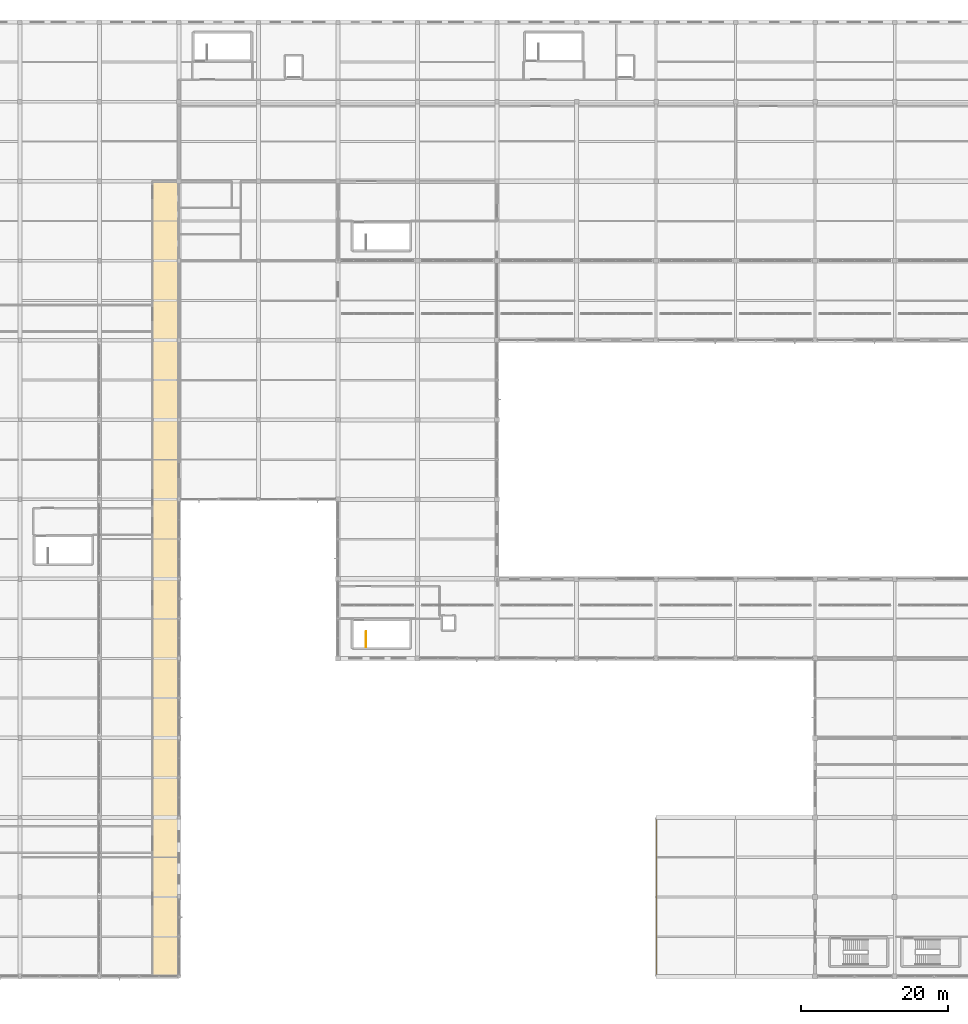
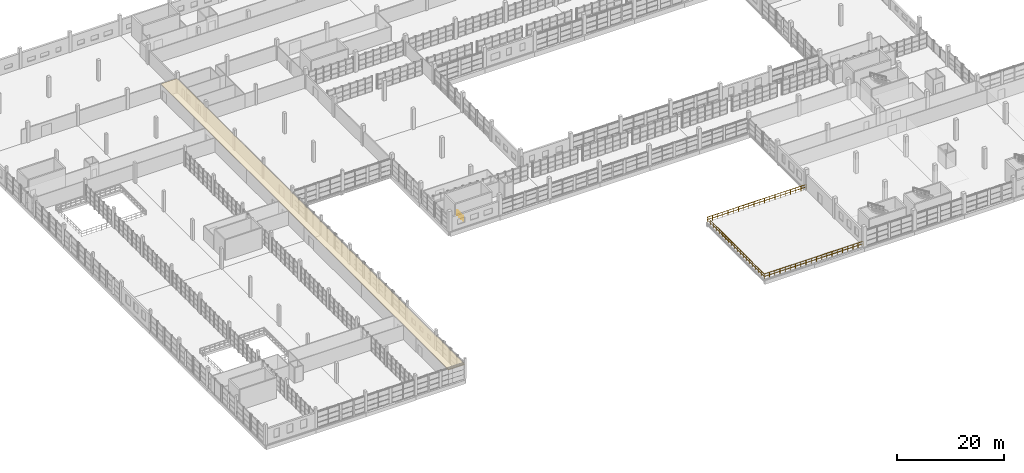
# One storey, part 130 of 142: 2 railings, 1 covering.
"""IFC4 building model written with IfcOpenShell, lengths in metres."""

from ifc_helpers import new_model, si_unit, direction, frame, origin, origin_2d, place, context, subcontext, project, spatial, polyline, circle, outline, extrude, material, layer, layer_set, type_object, element, save


model = new_model("IFC4")

# Units and contexts
model_context = context("Model", 3, precision=1e-05, world=origin(), true_north=direction((0.0, 1.0)))
body_context = subcontext(model_context, "Body", "Model", "MODEL_VIEW")
ifc_project = project(units=[si_unit("LENGTHUNIT", "METRE"), si_unit("AREAUNIT", "SQUARE_METRE"), si_unit("VOLUMEUNIT", "CUBIC_METRE"), si_unit("PLANEANGLEUNIT", "RADIAN"), si_unit("MASSUNIT", "GRAM", prefix="KILO")], contexts=[model_context])

# Site, building, storey
site_placement = place(None, origin())
site = spatial("IfcSite", under=ifc_project, at=site_placement, CompositionType="ELEMENT")
building_placement = place(site_placement, origin())
building = spatial("IfcBuilding", under=site, at=building_placement, Name="Zwinboog Wholesale Market", CompositionType="ELEMENT")
storey_placement = place(building_placement, frame((0.0, 0.0, 5.39990234375)))
storey = spatial("IfcBuildingStorey", under=building, at=storey_placement, Name="L01", CompositionType="ELEMENT", Elevation=5.39990234375)

# Railings
ifc_material_1 = material(Name="Steel S355", Category="steel")
railing_type_1 = type_object("IfcRailingType", Name="RLT-EXT-GUARD", PredefinedType="BALUSTRADE", material=ifc_material_1)
railing_1_placement = place(storey_placement, frame((129.52001953125, 0.080078125, 0.0)))
element("IfcRailing", 1, at=railing_1_placement, inside=storey, type_object=railing_type_1, Name="GR-01 (RLG-EXT-08)", PredefinedType="BALUSTRADE", context=body_context, shape_type="SweptSolid", body=[
    extrude(circle(Radius=0.02392578125, at=origin_2d()), frame((0.0, 0.0, 1.09619140625), z_axis=(-1.0, 0.0, 0.0), x_axis=(0.0, -1.0, 0.0)), (0.0, 0.0, 1.0), 21.43994140625),
    extrude(circle(Radius=0.02392578125, at=origin_2d()), frame((0.0, 0.0, 0.5361328125), z_axis=(-1.0, 0.0, 0.0), x_axis=(0.0, -1.0, 0.0)), (0.0, 0.0, 1.0), 21.43994140625),
    extrude(circle(Radius=0.02392578125, at=origin_2d()), frame((-21.43994140625, 0.0, 1.09619140625), z_axis=(0.0, 1.0, 0.0), x_axis=(-1.0, 0.0, 0.0)), (0.0, 0.0, 1.0), 21.43994140625),
    extrude(circle(Radius=0.02392578125, at=origin_2d()), frame((-21.43994140625, 0.0, 0.5361328125), z_axis=(0.0, 1.0, 0.0), x_axis=(-1.0, 0.0, 0.0)), (0.0, 0.0, 1.0), 21.43994140625),
    extrude(circle(Radius=0.02392578125, at=origin_2d()), frame((-21.43994140625, 21.43994140625, 1.09619140625), z_axis=(1.0, 0.0, 0.0), x_axis=(0.0, 1.0, 0.0)), (0.0, 0.0, 1.0), 21.43994140625),
    extrude(circle(Radius=0.02392578125, at=origin_2d()), frame((-21.43994140625, 21.43994140625, 0.5361328125), z_axis=(1.0, 0.0, 0.0), x_axis=(0.0, 1.0, 0.0)), (0.0, 0.0, 1.0), 21.43994140625),
    extrude(circle(Radius=0.02099609375, at=origin_2d()), origin(), (0.0, 0.0, 1.0), 1.072021484375),
    extrude(circle(Radius=0.02099609375, at=origin_2d()), frame((-1.12841796875, 0.0, 0.0)), (0.0, 0.0, 1.0), 1.072021484375),
    extrude(circle(Radius=0.02099609375, at=origin_2d()), frame((-2.2568359375, 0.0, 0.0)), (0.0, 0.0, 1.0), 1.072021484375),
    extrude(circle(Radius=0.02099609375, at=origin_2d()), frame((-3.38525390625, 0.0, 0.0)), (0.0, 0.0, 1.0), 1.072021484375),
    extrude(circle(Radius=0.02099609375, at=origin_2d()), frame((-4.513671875, 0.0, 0.0)), (0.0, 0.0, 1.0), 1.072021484375),
    extrude(circle(Radius=0.02099609375, at=origin_2d()), frame((-5.64208984375, 0.0, 0.0)), (0.0, 0.0, 1.0), 1.072021484375),
    extrude(circle(Radius=0.02099609375, at=origin_2d()), frame((-6.7705078125, 0.0, 0.0)), (0.0, 0.0, 1.0), 1.072021484375),
    extrude(circle(Radius=0.02099609375, at=origin_2d()), frame((-7.89892578125, 0.0, 0.0)), (0.0, 0.0, 1.0), 1.072021484375),
    extrude(circle(Radius=0.02099609375, at=origin_2d()), frame((-9.02734375, 0.0, 0.0)), (0.0, 0.0, 1.0), 1.072021484375),
    extrude(circle(Radius=0.02099609375, at=origin_2d()), frame((-10.15576171875, 0.0, 0.0)), (0.0, 0.0, 1.0), 1.072021484375),
    extrude(circle(Radius=0.02099609375, at=origin_2d()), frame((-11.2841796875, 0.0, 0.0)), (0.0, 0.0, 1.0), 1.072021484375),
    extrude(circle(Radius=0.02099609375, at=origin_2d()), frame((-12.41259765625, 0.0, 0.0)), (0.0, 0.0, 1.0), 1.072021484375),
    extrude(circle(Radius=0.02099609375, at=origin_2d()), frame((-13.541015625, 0.0, 0.0)), (0.0, 0.0, 1.0), 1.072021484375),
    extrude(circle(Radius=0.02099609375, at=origin_2d()), frame((-14.66943359375, 0.0, 0.0)), (0.0, 0.0, 1.0), 1.072021484375),
    extrude(circle(Radius=0.02099609375, at=origin_2d()), frame((-15.7978515625, 0.0, 0.0)), (0.0, 0.0, 1.0), 1.072021484375),
    extrude(circle(Radius=0.02099609375, at=origin_2d()), frame((-16.92626953125, 0.0, 0.0)), (0.0, 0.0, 1.0), 1.072021484375),
    extrude(circle(Radius=0.02099609375, at=origin_2d()), frame((-18.0546875, 0.0, 0.0)), (0.0, 0.0, 1.0), 1.072021484375),
    extrude(circle(Radius=0.02099609375, at=origin_2d()), frame((-19.18310546875, 0.0, 0.0)), (0.0, 0.0, 1.0), 1.072021484375),
    extrude(circle(Radius=0.02099609375, at=origin_2d()), frame((-20.3115234375, 0.0, 0.0)), (0.0, 0.0, 1.0), 1.072021484375),
    extrude(circle(Radius=0.02099609375, at=origin_2d()), frame((-21.43994140625, 0.0, 0.0)), (0.0, 0.0, 1.0), 1.072021484375),
    extrude(circle(Radius=0.02099609375, at=origin_2d()), frame((-21.43994140625, 1.12841796875, 0.0)), (0.0, 0.0, 1.0), 1.072021484375),
    extrude(circle(Radius=0.02099609375, at=origin_2d()), frame((-21.43994140625, 2.2568359375, 0.0)), (0.0, 0.0, 1.0), 1.072021484375),
    extrude(circle(Radius=0.02099609375, at=origin_2d()), frame((-21.43994140625, 3.38525390625, 0.0)), (0.0, 0.0, 1.0), 1.072021484375),
    extrude(circle(Radius=0.02099609375, at=origin_2d()), frame((-21.43994140625, 4.513671875, 0.0)), (0.0, 0.0, 1.0), 1.072021484375),
    extrude(circle(Radius=0.02099609375, at=origin_2d()), frame((-21.43994140625, 5.64208984375, 0.0)), (0.0, 0.0, 1.0), 1.072021484375),
    extrude(circle(Radius=0.02099609375, at=origin_2d()), frame((-21.43994140625, 6.7705078125, 0.0)), (0.0, 0.0, 1.0), 1.072021484375),
    extrude(circle(Radius=0.02099609375, at=origin_2d()), frame((-21.43994140625, 7.89892578125, 0.0)), (0.0, 0.0, 1.0), 1.072021484375),
    extrude(circle(Radius=0.02099609375, at=origin_2d()), frame((-21.43994140625, 9.02734375, 0.0)), (0.0, 0.0, 1.0), 1.072021484375),
    extrude(circle(Radius=0.02099609375, at=origin_2d()), frame((-21.43994140625, 10.15576171875, 0.0)), (0.0, 0.0, 1.0), 1.072021484375),
    extrude(circle(Radius=0.02099609375, at=origin_2d()), frame((-21.43994140625, 11.2841796875, 0.0)), (0.0, 0.0, 1.0), 1.072021484375),
    extrude(circle(Radius=0.02099609375, at=origin_2d()), frame((-21.43994140625, 12.41259765625, 0.0)), (0.0, 0.0, 1.0), 1.072021484375),
    extrude(circle(Radius=0.02099609375, at=origin_2d()), frame((-21.43994140625, 13.541015625, 0.0)), (0.0, 0.0, 1.0), 1.072021484375),
    extrude(circle(Radius=0.02099609375, at=origin_2d()), frame((-21.43994140625, 14.66943359375, 0.0)), (0.0, 0.0, 1.0), 1.072021484375),
    extrude(circle(Radius=0.02099609375, at=origin_2d()), frame((-21.43994140625, 15.7978515625, 0.0)), (0.0, 0.0, 1.0), 1.072021484375),
    extrude(circle(Radius=0.02099609375, at=origin_2d()), frame((-21.43994140625, 16.92626953125, 0.0)), (0.0, 0.0, 1.0), 1.072021484375),
    extrude(circle(Radius=0.02099609375, at=origin_2d()), frame((-21.43994140625, 18.0546875, 0.0)), (0.0, 0.0, 1.0), 1.072021484375),
    extrude(circle(Radius=0.02099609375, at=origin_2d()), frame((-21.43994140625, 19.18310546875, 0.0)), (0.0, 0.0, 1.0), 1.072021484375),
    extrude(circle(Radius=0.02099609375, at=origin_2d()), frame((-21.43994140625, 20.3115234375, 0.0)), (0.0, 0.0, 1.0), 1.072021484375),
    extrude(circle(Radius=0.02099609375, at=origin_2d()), frame((-21.43994140625, 21.43994140625, 0.0)), (0.0, 0.0, 1.0), 1.072021484375),
    extrude(circle(Radius=0.02099609375, at=origin_2d()), frame((-20.3115234375, 21.43994140625, 0.0)), (0.0, 0.0, 1.0), 1.072021484375),
    extrude(circle(Radius=0.02099609375, at=origin_2d()), frame((-19.18310546875, 21.43994140625, 0.0)), (0.0, 0.0, 1.0), 1.072021484375),
    extrude(circle(Radius=0.02099609375, at=origin_2d()), frame((-18.0546875, 21.43994140625, 0.0)), (0.0, 0.0, 1.0), 1.072021484375),
    extrude(circle(Radius=0.02099609375, at=origin_2d()), frame((-16.92626953125, 21.43994140625, 0.0)), (0.0, 0.0, 1.0), 1.072021484375),
    extrude(circle(Radius=0.02099609375, at=origin_2d()), frame((-15.7978515625, 21.43994140625, 0.0)), (0.0, 0.0, 1.0), 1.072021484375),
    extrude(circle(Radius=0.02099609375, at=origin_2d()), frame((-14.66943359375, 21.43994140625, 0.0)), (0.0, 0.0, 1.0), 1.072021484375),
    extrude(circle(Radius=0.02099609375, at=origin_2d()), frame((-13.541015625, 21.43994140625, 0.0)), (0.0, 0.0, 1.0), 1.072021484375),
    extrude(circle(Radius=0.02099609375, at=origin_2d()), frame((-12.41259765625, 21.43994140625, 0.0)), (0.0, 0.0, 1.0), 1.072021484375),
    extrude(circle(Radius=0.02099609375, at=origin_2d()), frame((-11.2841796875, 21.43994140625, 0.0)), (0.0, 0.0, 1.0), 1.072021484375),
    extrude(circle(Radius=0.02099609375, at=origin_2d()), frame((-10.15576171875, 21.43994140625, 0.0)), (0.0, 0.0, 1.0), 1.072021484375),
    extrude(circle(Radius=0.02099609375, at=origin_2d()), frame((-9.02734375, 21.43994140625, 0.0)), (0.0, 0.0, 1.0), 1.072021484375),
    extrude(circle(Radius=0.02099609375, at=origin_2d()), frame((-7.89892578125, 21.43994140625, 0.0)), (0.0, 0.0, 1.0), 1.072021484375),
    extrude(circle(Radius=0.02099609375, at=origin_2d()), frame((-6.7705078125, 21.43994140625, 0.0)), (0.0, 0.0, 1.0), 1.072021484375),
    extrude(circle(Radius=0.02099609375, at=origin_2d()), frame((-5.64208984375, 21.43994140625, 0.0)), (0.0, 0.0, 1.0), 1.072021484375),
    extrude(circle(Radius=0.02099609375, at=origin_2d()), frame((-4.513671875, 21.43994140625, 0.0)), (0.0, 0.0, 1.0), 1.072021484375),
    extrude(circle(Radius=0.02099609375, at=origin_2d()), frame((-3.38525390625, 21.43994140625, 0.0)), (0.0, 0.0, 1.0), 1.072021484375),
    extrude(circle(Radius=0.02099609375, at=origin_2d()), frame((-2.2568359375, 21.43994140625, 0.0)), (0.0, 0.0, 1.0), 1.072021484375),
    extrude(circle(Radius=0.02099609375, at=origin_2d()), frame((-1.12841796875, 21.43994140625, 0.0)), (0.0, 0.0, 1.0), 1.072021484375),
    extrude(circle(Radius=0.02099609375, at=origin_2d()), frame((0.0, 21.43994140625, 0.0)), (0.0, 0.0, 1.0), 1.072021484375),
])
railing_type_2 = type_object("IfcRailingType", Name="RLT-INT-GUARD", PredefinedType="BALUSTRADE", material=ifc_material_1)
railing_2_placement = place(storey_placement, frame((68.6201171875, 46.840087890625, 0.0)))
element("IfcRailing", 2, at=railing_2_placement, inside=storey, type_object=railing_type_2, Name="GR-02 (RLG-ST-06-GTOP)", PredefinedType="BALUSTRADE", context=body_context, shape_type="SweptSolid", body=[
    extrude(circle(Radius=0.02392578125, at=origin_2d()), frame((0.0, 0.0, 1.09619140625), z_axis=(0.0, -1.0, 0.0), x_axis=(1.0, 0.0, 0.0)), (0.0, 0.0, 1.0), 2.10009765625),
    extrude(circle(Radius=0.02392578125, at=origin_2d()), frame((0.0, 0.0, 0.5361328125), z_axis=(0.0, -1.0, 0.0), x_axis=(1.0, 0.0, 0.0)), (0.0, 0.0, 1.0), 2.10009765625),
    extrude(circle(Radius=0.02099609375, at=origin_2d()), origin(), (0.0, 0.0, 1.0), 1.072021484375),
    extrude(circle(Radius=0.02099609375, at=origin_2d()), frame((0.0, -0.699951171875, 0.0)), (0.0, 0.0, 1.0), 1.072021484375),
    extrude(circle(Radius=0.02099609375, at=origin_2d()), frame((0.0, -1.400146484375, 0.0)), (0.0, 0.0, 1.0), 1.072021484375),
    extrude(circle(Radius=0.02099609375, at=origin_2d()), frame((0.0, -2.10009765625, 0.0)), (0.0, 0.0, 1.0), 1.072021484375),
])

# Covering
ifc_material_2 = material(Name="Hygienic washable acoustic gypsum ceiling")
ifc_layer = layer(ifc_material_2, 0.050048828125)
ifc_layer_set = layer_set([ifc_layer], Name="Hygienic washable acoustic gypsum ceiling")
covering_type = type_object("IfcCoveringType", Name="COV-CEIL-HYG", PredefinedType="CEILING", material=ifc_layer_set)
covering_placement = place(storey_placement, frame((0.0, 0.0, 3.130126953125)))
element("IfcCovering", 3, at=covering_placement, inside=storey, type_object=covering_type, Name="CL-02 (COV-CL-L01-017)", PredefinedType="CEILING", context=body_context, shape_type="SweptSolid", body=[
    extrude(outline(polyline([(39.60009765625, 0.0), (43.199951171875, 0.0), (43.199951171875, 108.0), (39.60009765625, 108.0), (39.60009765625, 0.0)])), origin(), (0.0, 0.0, 1.0), 0.050048828125),
])

save(model, "model.ifc")
